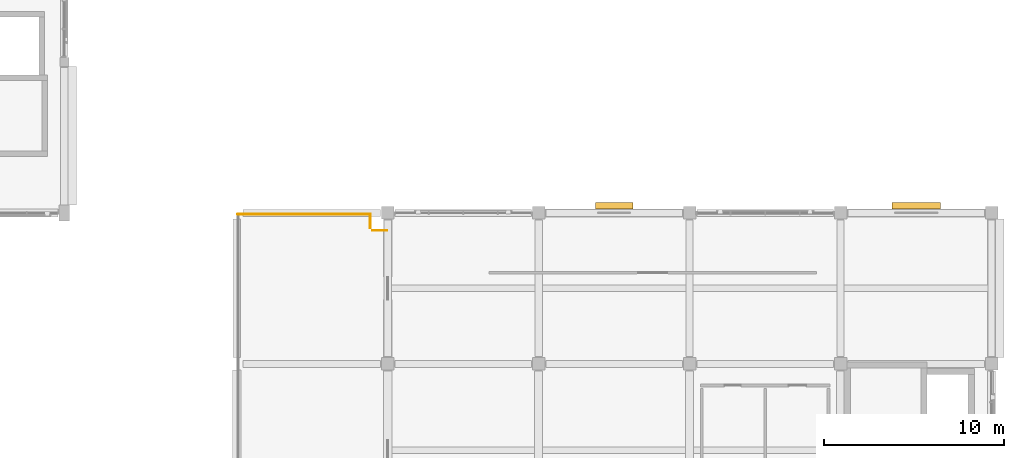
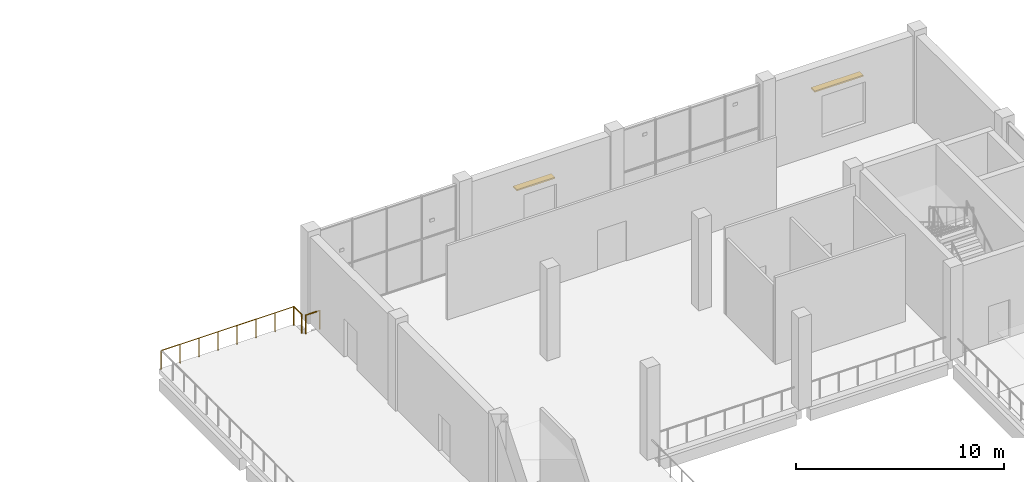
# One storey, part 83 of 83: 3 railings, 2 shading devices.
"""IFC4 building model written with IfcOpenShell, lengths in metres."""

import ifcopenshell
import ifcopenshell.guid

model = None  # the IFC model being written
_history = None  # IfcOwnerHistory: only IFC2X3 demands one
_inside = {}  # id of a spatial element -> (the spatial element, [elements in it])
_under = {}  # id of a project, library or spatial element -> (it, [spatial elements below it])
_declared = {}  # id of a project -> (the project, [libraries it declares])
_typed = {}  # id of a type object -> (the type object, [elements of that type])
_made_of = {}  # id of a material, layer set ... -> (it, [elements and type objects made of it])


def new_model(schema):
    """Start an empty IFC model of exactly this schema.

    Asked for "IFC4X3", IfcOpenShell would pick the latest addendum, in which some entities
    have other attributes; the version numbers below select the first issue.
    IFC2X3 requires an IfcOwnerHistory on every rooted entity: one is made here for all.
    """
    global model, _history
    if schema == "IFC4X3":
        model = ifcopenshell.file(schema_version=(4, 3, 0, 0))
    else:
        model = ifcopenshell.file(schema=schema)
    _inside.clear()
    _under.clear()
    _declared.clear()
    _typed.clear()
    _made_of.clear()
    _history = None
    if model.schema == "IFC2X3":
        org = make("IfcOrganization", Name="unknown")
        user = make(
            "IfcPersonAndOrganization",
            ThePerson=make("IfcPerson", FamilyName="unknown"),
            TheOrganization=org,
        )
        app = make(
            "IfcApplication",
            ApplicationDeveloper=org,
            Version="unknown",
            ApplicationFullName="unknown",
            ApplicationIdentifier="unknown",
        )
        _history = make(
            "IfcOwnerHistory",
            OwningUser=user,
            OwningApplication=app,
            ChangeAction="ADDED",
            CreationDate=0,
        )
    return model


def make(cls, **values):
    """One entity of the class cls with the attributes given. An attribute that is None is left unset."""
    return model.create_entity(
        cls, **{name: value for name, value in values.items() if value is not None}
    )


def rooted(cls, **values):
    """An entity with a GlobalId (a new one), such as an element, a storey or a relation."""
    return make(cls, GlobalId=ifcopenshell.guid.new(), OwnerHistory=_history, **values)


def si_unit(unit_type, name, prefix=None):
    """IfcSIUnit, for example si_unit("LENGTHUNIT", "METRE", prefix="MILLI")."""
    return make("IfcSIUnit", UnitType=unit_type, Prefix=prefix, Name=name)


def assignment(units):
    """IfcUnitAssignment: the units of a project."""
    return None if units is None else make("IfcUnitAssignment", Units=units)


def point(xyz):
    """IfcCartesianPoint."""
    return None if xyz is None else make("IfcCartesianPoint", Coordinates=xyz)


def direction(xyz):
    """IfcDirection."""
    return None if xyz is None else make("IfcDirection", DirectionRatios=xyz)


def frame(location, z_axis=None, x_axis=None):
    """IfcAxis2Placement3D, a coordinate frame: its origin and axes. An axis left out is left unset."""
    return make(
        "IfcAxis2Placement3D",
        Location=point(location),
        Axis=direction(z_axis),
        RefDirection=direction(x_axis),
    )


def frame_2d(location, x_axis=None):
    """IfcAxis2Placement2D, a coordinate frame in the plane: its origin and x axis."""
    return make(
        "IfcAxis2Placement2D", Location=point(location), RefDirection=direction(x_axis)
    )


def origin():
    """The frame at (0, 0, 0) with its axes left unset."""
    return frame((0.0, 0.0, 0.0))


def origin_2d():
    """The frame at (0, 0) in the plane with its x axis left unset."""
    return frame_2d((0.0, 0.0))


def place(relative_to, where):
    """IfcLocalPlacement: puts the frame where relative to a parent placement (None: the world)."""
    return make(
        "IfcLocalPlacement", PlacementRelTo=relative_to, RelativePlacement=where
    )


def context(
    kind, dimensions, precision=None, world=None, true_north=None, identifier=None
):
    """IfcGeometricRepresentationContext, for example the 3D "Model" context."""
    return make(
        "IfcGeometricRepresentationContext",
        ContextIdentifier=identifier,
        ContextType=kind,
        CoordinateSpaceDimension=dimensions,
        Precision=precision,
        WorldCoordinateSystem=world,
        TrueNorth=true_north,
    )


def subcontext(parent, identifier, kind, view, scale=None):
    """IfcGeometricRepresentationSubContext, for example "Body" below "Model"."""
    return make(
        "IfcGeometricRepresentationSubContext",
        ContextIdentifier=identifier,
        ContextType=kind,
        ParentContext=parent,
        TargetScale=scale,
        TargetView=view,
    )


def project(units=None, contexts=None):
    """IfcProject with its units and contexts."""
    return rooted(
        "IfcProject",
        Name="project",
        RepresentationContexts=contexts,
        UnitsInContext=assignment(units),
    )


def spatial(cls, under=None, at=None, **own):
    """A site, building, storey or space (cls), placed at a placement, below another one or the project."""
    s = rooted(cls, ObjectPlacement=at, **own)
    if under is not None:
        _under.setdefault(under.id(), (under, []))[1].append(s)
    return s


def profile(cls, at=None, kind="AREA", **sizes):
    """A parametric profile (cls). Its sizes go by their IFC names, for example OverallWidth=200.0."""
    return make(cls, ProfileType=kind, Position=at, **sizes)


def rectangle(**sizes):
    """IfcRectangleProfileDef."""
    return profile("IfcRectangleProfileDef", **sizes)


def circle(**sizes):
    """IfcCircleProfileDef."""
    return profile("IfcCircleProfileDef", **sizes)


def extrude(swept, where, along, depth):
    """IfcExtrudedAreaSolid: the profile swept, set in the frame where, extruded along a direction by depth."""
    return make(
        "IfcExtrudedAreaSolid",
        SweptArea=swept,
        Position=where,
        ExtrudedDirection=direction(along),
        Depth=depth,
    )


def shape(context_of_items, identifier, shape_type, items):
    """IfcShapeRepresentation: the items that make up one representation, for example the "Body"."""
    return make(
        "IfcShapeRepresentation",
        ContextOfItems=context_of_items,
        RepresentationIdentifier=identifier,
        RepresentationType=shape_type,
        Items=items,
    )


def material(Name=None, Category=None):
    """IfcMaterial."""
    return make("IfcMaterial", Name=Name, Category=Category)


def made_of(thing, what):
    """Note that an element or type object is made of a material, layer set ...; save() writes the relation."""
    if what is not None:
        _made_of.setdefault(what.id(), (what, []))[1].append(thing)
    return thing


def type_object(cls, material=None, **own):
    """A type object (cls), such as IfcWallType, which elements share."""
    return made_of(rooted(cls, **own), material)


def element(
    cls,
    number,
    at=None,
    inside=None,
    cuts=None,
    type_object=None,
    material=None,
    context=None,
    identifier="Body",
    shape_type=None,
    held_by="IfcProductDefinitionShape",
    body=None,
    shapes=None,
    **own,
):
    """One element of the class cls, such as IfcWall. Its Tag is "e" and its number.

    at: its placement. inside: the storey or other place that contains it. cuts: it is an
    opening in that element (IfcRelVoidsElement). A single representation is given by context,
    identifier, shape_type and body (its items); several are given by shapes. held_by: the class
    of the entity that holds the representations. save() writes the other relations.
    """
    e = rooted(cls, Tag="e%d" % number, ObjectPlacement=at, **own)
    if body is not None:
        shapes = [shape(context, identifier, shape_type, body)]
    if shapes is not None:
        e.Representation = make(held_by, Representations=shapes)
    if inside is not None:
        _inside.setdefault(inside.id(), (inside, []))[1].append(e)
    if cuts is not None:
        rooted(
            "IfcRelVoidsElement", RelatingBuildingElement=cuts, RelatedOpeningElement=e
        )
    if type_object is not None:
        _typed.setdefault(type_object.id(), (type_object, []))[1].append(e)
    return made_of(e, material)


def aggregate(whole, parts):
    """IfcRelAggregates: a whole, such as a stair, and the parts it consists of."""
    return rooted("IfcRelAggregates", RelatingObject=whole, RelatedObjects=parts)


def save(model, path):
    """Write the relations noted so far, then the file.

    IfcRelAggregates (storeys below a building ...), IfcRelContainedInSpatialStructure (elements
    in a storey), IfcRelDefinesByType, IfcRelAssociatesMaterial and IfcRelDeclares: one each for
    every whole, place, type object, material and project.
    """
    for whole, parts in _under.values():
        aggregate(whole, parts)
    for where, things in _inside.values():
        rooted(
            "IfcRelContainedInSpatialStructure",
            RelatedElements=things,
            RelatingStructure=where,
        )
    for kind, things in _typed.values():
        rooted("IfcRelDefinesByType", RelatedObjects=things, RelatingType=kind)
    for what, things in _made_of.values():
        rooted("IfcRelAssociatesMaterial", RelatedObjects=things, RelatingMaterial=what)
    for by, libraries in _declared.values():
        rooted("IfcRelDeclares", RelatingContext=by, RelatedDefinitions=libraries)
    model.write(path)


model = new_model("IFC4")

# Units and contexts
model_context = context("Model", 3, precision=1e-05, world=origin(), true_north=direction((0.0, 1.0)))
body_context = subcontext(model_context, "Body", "Model", "MODEL_VIEW")
ifc_project = project(units=[si_unit("LENGTHUNIT", "METRE"), si_unit("AREAUNIT", "SQUARE_METRE"), si_unit("VOLUMEUNIT", "CUBIC_METRE"), si_unit("PLANEANGLEUNIT", "RADIAN"), si_unit("MASSUNIT", "GRAM", prefix="KILO")], contexts=[model_context])

# Site, building, storey
site_placement = place(None, origin())
site = spatial("IfcSite", under=ifc_project, at=site_placement, CompositionType="ELEMENT")
building_placement = place(site_placement, origin())
building = spatial("IfcBuilding", under=site, at=building_placement, Name="Shalvenor Court Art Gallery", CompositionType="ELEMENT")
storey_placement = place(building_placement, frame((0.0, 0.0, 6.0)))
storey = spatial("IfcBuildingStorey", under=building, at=storey_placement, Name="L01", CompositionType="ELEMENT", Elevation=6.0)

# Railings
ifc_material_1 = material(Name="Stainless steel and laminated glass balustrade", Category="steel")
railing_type = type_object("IfcRailingType", Name="GR-01", PredefinedType="BALUSTRADE", material=ifc_material_1)
railing_1_placement = place(storey_placement, frame((134.4599609375, 97.1201171875, 0.0)))
element("IfcRailing", 1, at=railing_1_placement, inside=storey, type_object=railing_type, Name="L01 V1 Terrace Balustrade 3", PredefinedType="BALUSTRADE", context=body_context, shape_type="SweptSolid", body=[
    extrude(circle(Radius=0.02392578125, at=origin_2d()), frame((0.0, 0.0, 1.09619140625), z_axis=(1.0, 0.0, 0.0), x_axis=(0.0, 1.0, 0.0)), (0.0, 0.0, 1.0), 7.380126953125),
    extrude(circle(Radius=0.02099609375, at=origin_2d()), origin(), (0.0, 0.0, 1.0), 1.072021484375),
    extrude(circle(Radius=0.02099609375, at=origin_2d()), frame((1.05419921875, 0.0, 0.0)), (0.0, 0.0, 1.0), 1.072021484375),
    extrude(circle(Radius=0.02099609375, at=origin_2d()), frame((2.108642578125, 0.0, 0.0)), (0.0, 0.0, 1.0), 1.072021484375),
    extrude(circle(Radius=0.02099609375, at=origin_2d()), frame((3.162841796875, 0.0, 0.0)), (0.0, 0.0, 1.0), 1.072021484375),
    extrude(circle(Radius=0.02099609375, at=origin_2d()), frame((4.21728515625, 0.0, 0.0)), (0.0, 0.0, 1.0), 1.072021484375),
    extrude(circle(Radius=0.02099609375, at=origin_2d()), frame((5.271484375, 0.0, 0.0)), (0.0, 0.0, 1.0), 1.072021484375),
    extrude(circle(Radius=0.02099609375, at=origin_2d()), frame((6.325927734375, 0.0, 0.0)), (0.0, 0.0, 1.0), 1.072021484375),
    extrude(circle(Radius=0.02099609375, at=origin_2d()), frame((7.380126953125, 0.0, 0.0)), (0.0, 0.0, 1.0), 1.072021484375),
])
railing_2_placement = place(storey_placement, frame((141.820068359375, 97.139892578125, 0.0)))
element("IfcRailing", 2, at=railing_2_placement, inside=storey, type_object=railing_type, Name="L01 V1 Terrace Balustrade 4", PredefinedType="BALUSTRADE", context=body_context, shape_type="SweptSolid", body=[
    extrude(circle(Radius=0.02392578125, at=origin_2d()), frame((0.0, 0.0, 1.09619140625), z_axis=(0.0, -1.0, 0.0), x_axis=(1.0, 0.0, 0.0)), (0.0, 0.0, 1.0), 0.77978515625),
    extrude(circle(Radius=0.02099609375, at=origin_2d()), origin(), (0.0, 0.0, 1.0), 1.072021484375),
    extrude(circle(Radius=0.02099609375, at=origin_2d()), frame((0.0, -0.77978515625, 0.0)), (0.0, 0.0, 1.0), 1.072021484375),
])
railing_3_placement = place(storey_placement, frame((141.9599609375, 96.219970703125, 0.0)))
element("IfcRailing", 3, at=railing_3_placement, inside=storey, type_object=railing_type, Name="L01 V1 Terrace Balustrade 5", PredefinedType="BALUSTRADE", context=body_context, shape_type="SweptSolid", body=[
    extrude(circle(Radius=0.02392578125, at=origin_2d()), frame((0.0, 0.0, 1.09619140625), z_axis=(1.0, 0.0, 0.0), x_axis=(0.0, 1.0, 0.0)), (0.0, 0.0, 1.0), 0.780029296875),
    extrude(circle(Radius=0.02099609375, at=origin_2d()), origin(), (0.0, 0.0, 1.0), 1.072021484375),
    extrude(circle(Radius=0.02099609375, at=origin_2d()), frame((0.780029296875, 0.0, 0.0)), (0.0, 0.0, 1.0), 1.072021484375),
])

# Shading devices
ifc_material_2 = material(Name="Dark anodised bronze aluminium louvre", Category="aluminium")
shading_device_type = type_object("IfcShadingDeviceType", Name="SHD-01", PredefinedType="JALOUSIE", material=ifc_material_2)
shading_device_1_placement = place(storey_placement, frame((155.39990234375, 97.590087890625, 3.300048828125), z_axis=(0.0, 0.0, 1.0), x_axis=(1.0, 0.0, 0.0)))
element("IfcShadingDevice", 4, at=shading_device_1_placement, inside=storey, type_object=shading_device_type, Name="L01 Koushi Window Sunshade 1", PredefinedType="JALOUSIE", context=body_context, shape_type="SweptSolid", body=[
    extrude(rectangle(XDim=2.10009765625, YDim=0.360107421875, at=origin_2d()), origin(), (0.0, 0.0, 1.0), 0.080078125),
])
shading_device_2_placement = place(storey_placement, frame((172.199951171875, 97.590087890625, 3.300048828125), z_axis=(0.0, 0.0, 1.0), x_axis=(1.0, 0.0, 0.0)))
element("IfcShadingDevice", 5, at=shading_device_2_placement, inside=storey, type_object=shading_device_type, Name="L01 Koushi Window Sunshade 2", PredefinedType="JALOUSIE", context=body_context, shape_type="SweptSolid", body=[
    extrude(rectangle(XDim=2.699951171875, YDim=0.360107421875, at=origin_2d()), origin(), (0.0, 0.0, 1.0), 0.080078125),
])

save(model, "model.ifc")
